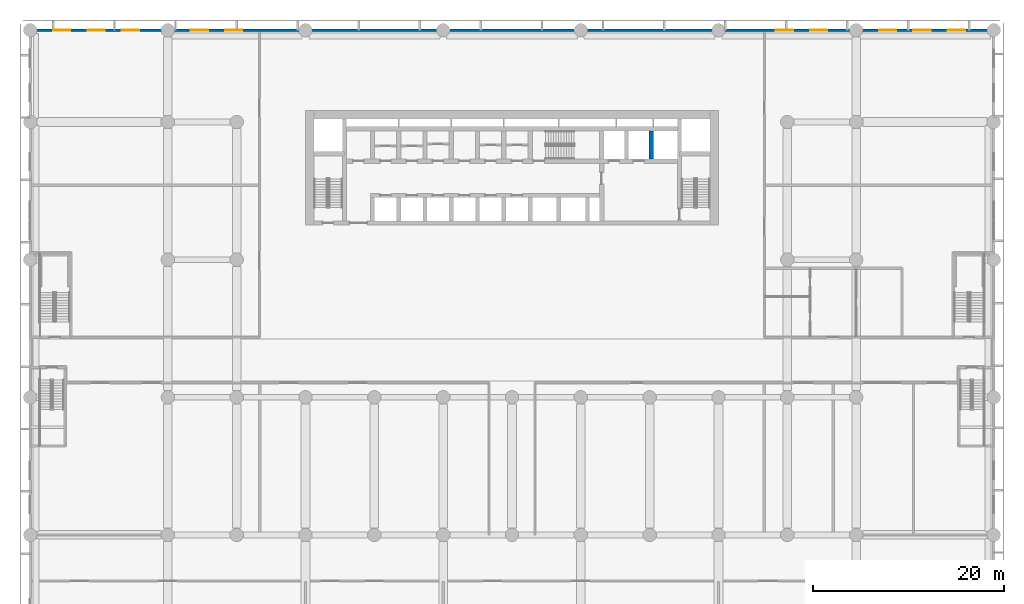
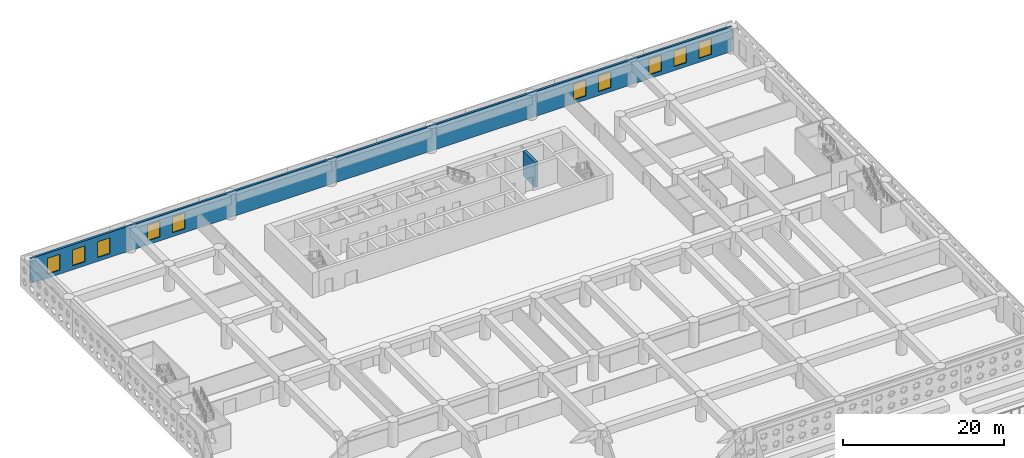
# One storey, part 9 of 24: 10 windows, 2 walls, 10 openings.
"""IFC4 building model written with IfcOpenShell, lengths in metres."""

from ifc_helpers import new_model, si_unit, direction, frame, frame_2d, origin, place, context, subcontext, project, spatial, rectangle, extrude, material, layer, layer_set, type_object, element, fill, save


model = new_model("IFC4")

# Units and contexts
model_context = context("Model", 3, precision=1e-05, world=origin(), true_north=direction((0.0, 1.0)))
body_context = subcontext(model_context, "Body", "Model", "MODEL_VIEW")
ifc_project = project(units=[si_unit("LENGTHUNIT", "METRE"), si_unit("AREAUNIT", "SQUARE_METRE"), si_unit("VOLUMEUNIT", "CUBIC_METRE"), si_unit("PLANEANGLEUNIT", "RADIAN"), si_unit("MASSUNIT", "GRAM", prefix="KILO")], contexts=[model_context])

# Site, building, storey
site_placement = place(None, origin())
site = spatial("IfcSite", under=ifc_project, at=site_placement, CompositionType="ELEMENT")
building_placement = place(site_placement, origin())
building = spatial("IfcBuilding", under=site, at=building_placement, Name="Saffron Iwan Residences", CompositionType="ELEMENT")
storey_placement = place(building_placement, frame((0.0, 0.0, 13.199951171875)))
storey = spatial("IfcBuildingStorey", under=building, at=storey_placement, Name="L02", CompositionType="ELEMENT", Elevation=13.199951171875)

# Wall, openings, windows
ifc_material_1 = material(Name="Precast concrete C40/50", Category="concrete")
ifc_layer_1 = layer(ifc_material_1, 0.300048828125)
ifc_layer_set_1 = layer_set([ifc_layer_1], Name="Precast concrete C40/50")
wall_type_1 = type_object("IfcWallType", Name="Podium external wall 300", PredefinedType="SOLIDWALL", material=ifc_layer_set_1)
wall_1_placement = place(storey_placement, frame((0.0, 86.39990234375, 0.0), z_axis=(0.0, 0.0, 1.0), x_axis=(1.0, 0.0, 0.0)))
wall_1 = element("IfcWall", 1, at=wall_1_placement, inside=storey, type_object=wall_type_1, Name="W-L02-021", PredefinedType="SOLIDWALL", context=body_context, shape_type="SweptSolid", body=[
    extrude(rectangle(XDim=100.800048828125, YDim=0.300048828125, at=frame_2d((50.39990234375, 0.0))), origin(), (0.0, 0.0, 1.0), 3.800048828125),
])
opening_1_placement = place(wall_1_placement, frame((2.39990234375, 0.0, 0.60009765625)))
opening_1 = element("IfcOpeningElement", 2, at=opening_1_placement, cuts=wall_1, Name="Opening W7", PredefinedType="OPENING", context=body_context, shape_type="SweptSolid", body=[
    extrude(rectangle(XDim=1.800048828125, YDim=2.39990234375, at=frame_2d((0.89990234375, 1.199951171875))), frame((0.0, 0.16015625, 0.0), z_axis=(0.0, -1.0, 0.0), x_axis=(1.0, 0.0, 0.0)), (0.0, 0.0, 1.0), 0.320068359375),
])
opening_2_placement = place(wall_1_placement, frame((6.0, 0.0, 0.60009765625)))
opening_2 = element("IfcOpeningElement", 3, at=opening_2_placement, cuts=wall_1, Name="Opening W7", PredefinedType="OPENING", context=body_context, shape_type="SweptSolid", body=[
    extrude(rectangle(XDim=1.800048828125, YDim=2.39990234375, at=frame_2d((0.89990234375, 1.199951171875))), frame((0.0, 0.16015625, 0.0), z_axis=(0.0, -1.0, 0.0), x_axis=(1.0, 0.0, 0.0)), (0.0, 0.0, 1.0), 0.320068359375),
])
opening_3_placement = place(wall_1_placement, frame((9.60009765625, 0.0, 0.60009765625)))
opening_3 = element("IfcOpeningElement", 4, at=opening_3_placement, cuts=wall_1, Name="Opening W7", PredefinedType="OPENING", context=body_context, shape_type="SweptSolid", body=[
    extrude(rectangle(XDim=1.800048828125, YDim=2.39990234375, at=frame_2d((0.89990234375, 1.199951171875))), frame((0.0, 0.16015625, 0.0), z_axis=(0.0, -1.0, 0.0), x_axis=(1.0, 0.0, 0.0)), (0.0, 0.0, 1.0), 0.320068359375),
])
opening_4_placement = place(wall_1_placement, frame((16.800048828125, 0.0, 0.60009765625)))
opening_4 = element("IfcOpeningElement", 5, at=opening_4_placement, cuts=wall_1, Name="Opening W7", PredefinedType="OPENING", context=body_context, shape_type="SweptSolid", body=[
    extrude(rectangle(XDim=1.800048828125, YDim=2.39990234375, at=frame_2d((0.89990234375, 1.199951171875))), frame((0.0, 0.16015625, 0.0), z_axis=(0.0, -1.0, 0.0), x_axis=(1.0, 0.0, 0.0)), (0.0, 0.0, 1.0), 0.320068359375),
])
opening_5_placement = place(wall_1_placement, frame((20.39990234375, 0.0, 0.60009765625)))
opening_5 = element("IfcOpeningElement", 6, at=opening_5_placement, cuts=wall_1, Name="Opening W7", PredefinedType="OPENING", context=body_context, shape_type="SweptSolid", body=[
    extrude(rectangle(XDim=1.800048828125, YDim=2.39990234375, at=frame_2d((0.89990234375, 1.199951171875))), frame((0.0, 0.16015625, 0.0), z_axis=(0.0, -1.0, 0.0), x_axis=(1.0, 0.0, 0.0)), (0.0, 0.0, 1.0), 0.320068359375),
])
opening_6_placement = place(wall_1_placement, frame((78.0, 0.0, 0.60009765625)))
opening_6 = element("IfcOpeningElement", 7, at=opening_6_placement, cuts=wall_1, Name="Opening W7", PredefinedType="OPENING", context=body_context, shape_type="SweptSolid", body=[
    extrude(rectangle(XDim=1.800048828125, YDim=2.39990234375, at=frame_2d((0.89990234375, 1.199951171875))), frame((0.0, 0.16015625, 0.0), z_axis=(0.0, -1.0, 0.0), x_axis=(1.0, 0.0, 0.0)), (0.0, 0.0, 1.0), 0.320068359375),
])
opening_7_placement = place(wall_1_placement, frame((81.60009765625, 0.0, 0.60009765625)))
opening_7 = element("IfcOpeningElement", 8, at=opening_7_placement, cuts=wall_1, Name="Opening W7", PredefinedType="OPENING", context=body_context, shape_type="SweptSolid", body=[
    extrude(rectangle(XDim=1.800048828125, YDim=2.39990234375, at=frame_2d((0.89990234375, 1.199951171875))), frame((0.0, 0.16015625, 0.0), z_axis=(0.0, -1.0, 0.0), x_axis=(1.0, 0.0, 0.0)), (0.0, 0.0, 1.0), 0.320068359375),
])
opening_8_placement = place(wall_1_placement, frame((88.800048828125, 0.0, 0.60009765625)))
opening_8 = element("IfcOpeningElement", 9, at=opening_8_placement, cuts=wall_1, Name="Opening W7", PredefinedType="OPENING", context=body_context, shape_type="SweptSolid", body=[
    extrude(rectangle(XDim=1.800048828125, YDim=2.39990234375, at=frame_2d((0.89990234375, 1.199951171875))), frame((0.0, 0.16015625, 0.0), z_axis=(0.0, -1.0, 0.0), x_axis=(1.0, 0.0, 0.0)), (0.0, 0.0, 1.0), 0.320068359375),
])
opening_9_placement = place(wall_1_placement, frame((92.39990234375, 0.0, 0.60009765625)))
opening_9 = element("IfcOpeningElement", 10, at=opening_9_placement, cuts=wall_1, Name="Opening W7", PredefinedType="OPENING", context=body_context, shape_type="SweptSolid", body=[
    extrude(rectangle(XDim=1.800048828125, YDim=2.39990234375, at=frame_2d((0.89990234375, 1.199951171875))), frame((0.0, 0.16015625, 0.0), z_axis=(0.0, -1.0, 0.0), x_axis=(1.0, 0.0, 0.0)), (0.0, 0.0, 1.0), 0.320068359375),
])
opening_10_placement = place(wall_1_placement, frame((96.0, 0.0, 0.60009765625)))
opening_10 = element("IfcOpeningElement", 11, at=opening_10_placement, cuts=wall_1, Name="Opening W7", PredefinedType="OPENING", context=body_context, shape_type="SweptSolid", body=[
    extrude(rectangle(XDim=1.800048828125, YDim=2.39990234375, at=frame_2d((0.89990234375, 1.199951171875))), frame((0.0, 0.16015625, 0.0), z_axis=(0.0, -1.0, 0.0), x_axis=(1.0, 0.0, 0.0)), (0.0, 0.0, 1.0), 0.320068359375),
])
ifc_material_2 = material(Name="Clear glass, laminated double glazed", Category="glass")
window_type = type_object("IfcWindowType", Name="WINDOW 1800 x 2400 PODIUM", PartitioningType="DOUBLE_PANEL_VERTICAL", PredefinedType="WINDOW", material=ifc_material_2)
window_1_placement = place(opening_1_placement, origin())
window_1 = element("IfcWindow", 12, at=window_1_placement, inside=storey, type_object=window_type, Name="Window L02 W-L02-021.0", OverallHeight=2.39990234375, OverallWidth=1.800048828125, PartitioningType="DOUBLE_PANEL_VERTICAL", PredefinedType="WINDOW", context=body_context, shape_type="SweptSolid", body=[
    extrude(rectangle(XDim=1.800048828125, YDim=2.39990234375, at=frame_2d((0.89990234375, 1.199951171875))), frame((0.0, 0.030029296875, 0.0), z_axis=(0.0, -1.0, 0.0), x_axis=(1.0, 0.0, 0.0)), (0.0, 0.0, 1.0), 0.06005859375),
])
fill(opening_1, window_1)
window_2_placement = place(opening_2_placement, origin())
window_2 = element("IfcWindow", 13, at=window_2_placement, inside=storey, type_object=window_type, Name="Window L02 W-L02-021.1", OverallHeight=2.39990234375, OverallWidth=1.800048828125, PartitioningType="DOUBLE_PANEL_VERTICAL", PredefinedType="WINDOW", context=body_context, shape_type="SweptSolid", body=[
    extrude(rectangle(XDim=1.800048828125, YDim=2.39990234375, at=frame_2d((0.89990234375, 1.199951171875))), frame((0.0, 0.030029296875, 0.0), z_axis=(0.0, -1.0, 0.0), x_axis=(1.0, 0.0, 0.0)), (0.0, 0.0, 1.0), 0.06005859375),
])
fill(opening_2, window_2)
window_3_placement = place(opening_3_placement, origin())
window_3 = element("IfcWindow", 14, at=window_3_placement, inside=storey, type_object=window_type, Name="Window L02 W-L02-021.2", OverallHeight=2.39990234375, OverallWidth=1.800048828125, PartitioningType="DOUBLE_PANEL_VERTICAL", PredefinedType="WINDOW", context=body_context, shape_type="SweptSolid", body=[
    extrude(rectangle(XDim=1.800048828125, YDim=2.39990234375, at=frame_2d((0.89990234375, 1.199951171875))), frame((0.0, 0.030029296875, 0.0), z_axis=(0.0, -1.0, 0.0), x_axis=(1.0, 0.0, 0.0)), (0.0, 0.0, 1.0), 0.06005859375),
])
fill(opening_3, window_3)
window_4_placement = place(opening_4_placement, origin())
window_4 = element("IfcWindow", 15, at=window_4_placement, inside=storey, type_object=window_type, Name="Window L02 W-L02-021.3", OverallHeight=2.39990234375, OverallWidth=1.800048828125, PartitioningType="DOUBLE_PANEL_VERTICAL", PredefinedType="WINDOW", context=body_context, shape_type="SweptSolid", body=[
    extrude(rectangle(XDim=1.800048828125, YDim=2.39990234375, at=frame_2d((0.89990234375, 1.199951171875))), frame((0.0, 0.030029296875, 0.0), z_axis=(0.0, -1.0, 0.0), x_axis=(1.0, 0.0, 0.0)), (0.0, 0.0, 1.0), 0.06005859375),
])
fill(opening_4, window_4)
window_5_placement = place(opening_5_placement, origin())
window_5 = element("IfcWindow", 16, at=window_5_placement, inside=storey, type_object=window_type, Name="Window L02 W-L02-021.4", OverallHeight=2.39990234375, OverallWidth=1.800048828125, PartitioningType="DOUBLE_PANEL_VERTICAL", PredefinedType="WINDOW", context=body_context, shape_type="SweptSolid", body=[
    extrude(rectangle(XDim=1.800048828125, YDim=2.39990234375, at=frame_2d((0.89990234375, 1.199951171875))), frame((0.0, 0.030029296875, 0.0), z_axis=(0.0, -1.0, 0.0), x_axis=(1.0, 0.0, 0.0)), (0.0, 0.0, 1.0), 0.06005859375),
])
fill(opening_5, window_5)
window_6_placement = place(opening_6_placement, origin())
window_6 = element("IfcWindow", 17, at=window_6_placement, inside=storey, type_object=window_type, Name="Window L02 W-L02-021.5", OverallHeight=2.39990234375, OverallWidth=1.800048828125, PartitioningType="DOUBLE_PANEL_VERTICAL", PredefinedType="WINDOW", context=body_context, shape_type="SweptSolid", body=[
    extrude(rectangle(XDim=1.800048828125, YDim=2.39990234375, at=frame_2d((0.89990234375, 1.199951171875))), frame((0.0, 0.030029296875, 0.0), z_axis=(0.0, -1.0, 0.0), x_axis=(1.0, 0.0, 0.0)), (0.0, 0.0, 1.0), 0.06005859375),
])
fill(opening_6, window_6)
window_7_placement = place(opening_7_placement, origin())
window_7 = element("IfcWindow", 18, at=window_7_placement, inside=storey, type_object=window_type, Name="Window L02 W-L02-021.6", OverallHeight=2.39990234375, OverallWidth=1.800048828125, PartitioningType="DOUBLE_PANEL_VERTICAL", PredefinedType="WINDOW", context=body_context, shape_type="SweptSolid", body=[
    extrude(rectangle(XDim=1.800048828125, YDim=2.39990234375, at=frame_2d((0.89990234375, 1.199951171875))), frame((0.0, 0.030029296875, 0.0), z_axis=(0.0, -1.0, 0.0), x_axis=(1.0, 0.0, 0.0)), (0.0, 0.0, 1.0), 0.06005859375),
])
fill(opening_7, window_7)
window_8_placement = place(opening_8_placement, origin())
window_8 = element("IfcWindow", 19, at=window_8_placement, inside=storey, type_object=window_type, Name="Window L02 W-L02-021.7", OverallHeight=2.39990234375, OverallWidth=1.800048828125, PartitioningType="DOUBLE_PANEL_VERTICAL", PredefinedType="WINDOW", context=body_context, shape_type="SweptSolid", body=[
    extrude(rectangle(XDim=1.800048828125, YDim=2.39990234375, at=frame_2d((0.89990234375, 1.199951171875))), frame((0.0, 0.030029296875, 0.0), z_axis=(0.0, -1.0, 0.0), x_axis=(1.0, 0.0, 0.0)), (0.0, 0.0, 1.0), 0.06005859375),
])
fill(opening_8, window_8)
window_9_placement = place(opening_9_placement, origin())
window_9 = element("IfcWindow", 20, at=window_9_placement, inside=storey, type_object=window_type, Name="Window L02 W-L02-021.8", OverallHeight=2.39990234375, OverallWidth=1.800048828125, PartitioningType="DOUBLE_PANEL_VERTICAL", PredefinedType="WINDOW", context=body_context, shape_type="SweptSolid", body=[
    extrude(rectangle(XDim=1.800048828125, YDim=2.39990234375, at=frame_2d((0.89990234375, 1.199951171875))), frame((0.0, 0.030029296875, 0.0), z_axis=(0.0, -1.0, 0.0), x_axis=(1.0, 0.0, 0.0)), (0.0, 0.0, 1.0), 0.06005859375),
])
fill(opening_9, window_9)
window_10_placement = place(opening_10_placement, origin())
window_10 = element("IfcWindow", 21, at=window_10_placement, inside=storey, type_object=window_type, Name="Window L02 W-L02-021.9", OverallHeight=2.39990234375, OverallWidth=1.800048828125, PartitioningType="DOUBLE_PANEL_VERTICAL", PredefinedType="WINDOW", context=body_context, shape_type="SweptSolid", body=[
    extrude(rectangle(XDim=1.800048828125, YDim=2.39990234375, at=frame_2d((0.89990234375, 1.199951171875))), frame((0.0, 0.030029296875, 0.0), z_axis=(0.0, -1.0, 0.0), x_axis=(1.0, 0.0, 0.0)), (0.0, 0.0, 1.0), 0.06005859375),
])
fill(opening_10, window_10)

# Wall
ifc_material_3 = material(Name="Concrete C60/75", Category="concrete")
ifc_layer_2 = layer(ifc_material_3, 0.449951171875)
ifc_layer_set_2 = layer_set([ifc_layer_2], Name="Concrete C60/75")
wall_type_2 = type_object("IfcWallType", Name="WALL CORE 450 C60/75 3800 HIGH", PredefinedType="SHEAR", material=ifc_layer_set_2)
wall_2_placement = place(storey_placement, frame((64.97509765625, 72.925048828125, 0.0), z_axis=(0.0, 0.0, 1.0), x_axis=(0.0, 1.0, 0.0)))
element("IfcWall", 22, at=wall_2_placement, inside=storey, type_object=wall_type_2, Name="Core wall", PredefinedType="SHEAR", context=body_context, shape_type="SweptSolid", body=[
    extrude(rectangle(XDim=2.949951171875, YDim=0.449951171875, at=frame_2d((1.47509765625, 0.0))), origin(), (0.0, 0.0, 1.0), 3.800048828125),
])

save(model, "model.ifc")
